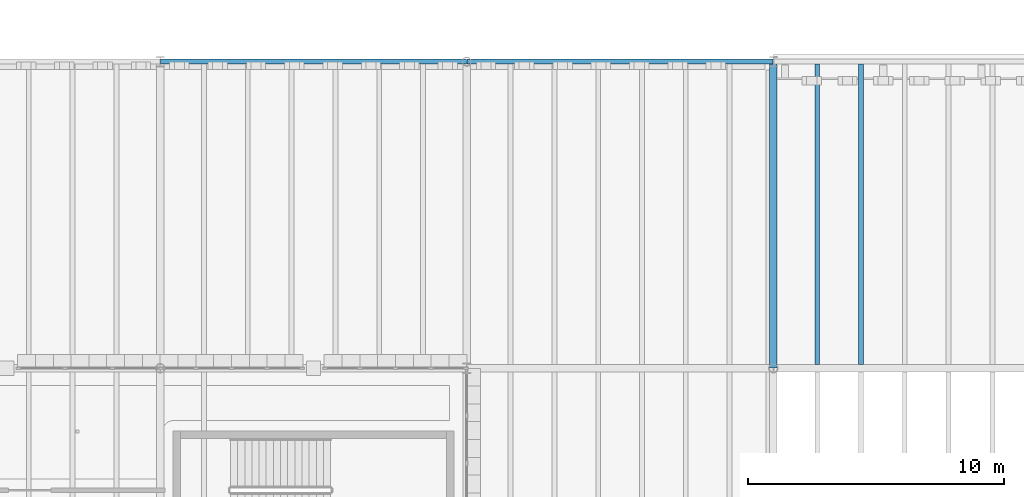
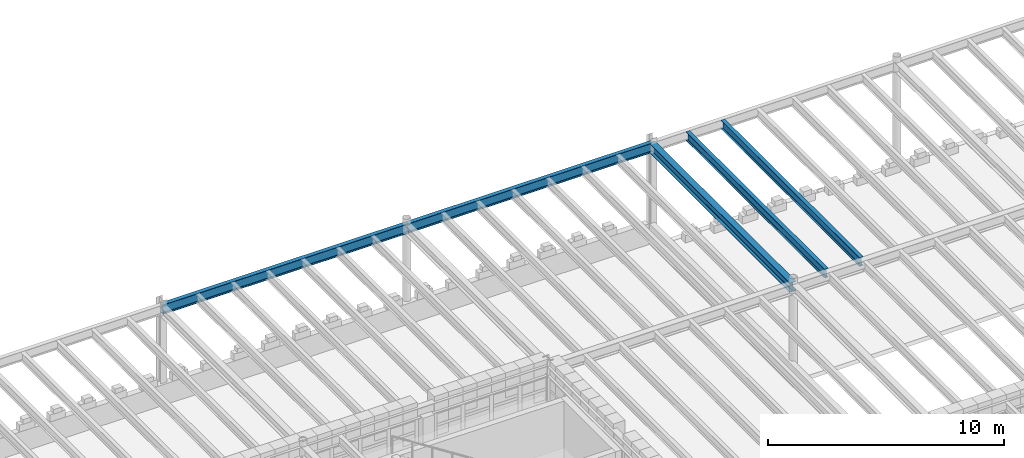
# One storey, part 28 of 100: 5 beams.
"""IFC4 building model written with IfcOpenShell, lengths in metres."""

from ifc_helpers import new_model, si_unit, direction, frame, origin, origin_2d, place, context, subcontext, project, spatial, i_section, extrude, material, material_profile, profile_set, type_object, element, save


model = new_model("IFC4")

# Units and contexts
model_context = context("Model", 3, precision=1e-05, world=origin(), true_north=direction((0.0, 1.0)))
body_context = subcontext(model_context, "Body", "Model", "MODEL_VIEW")
ifc_project = project(units=[si_unit("LENGTHUNIT", "METRE"), si_unit("AREAUNIT", "SQUARE_METRE"), si_unit("VOLUMEUNIT", "CUBIC_METRE"), si_unit("PLANEANGLEUNIT", "RADIAN"), si_unit("MASSUNIT", "GRAM", prefix="KILO")], contexts=[model_context])

# Site, building, storey
site_placement = place(None, origin())
site = spatial("IfcSite", under=ifc_project, at=site_placement, CompositionType="ELEMENT")
building_placement = place(site_placement, origin())
building = spatial("IfcBuilding", under=site, at=building_placement, Name="Zlatogorsky Bluff Art Gallery", CompositionType="ELEMENT")
storey_placement = place(building_placement, frame((0.0, 0.0, 5.39990234375)))
storey = spatial("IfcBuildingStorey", under=building, at=storey_placement, Name="L01", CompositionType="ELEMENT", Elevation=5.39990234375)

# Beams
ifc_material = material(Name="Steel S355", Category="steel")
ifc_material_profile_1 = material_profile(ifc_material, i_section(OverallWidth=0.300048828125, OverallDepth=0.489990234375, WebThickness=0.011962890625, FlangeThickness=0.02294921875, FilletRadius=0.027099609375, at=origin_2d()), Name="HEA 500")
ifc_profile_set_1 = profile_set([ifc_material_profile_1], Name="Steel S355")
beam_type_1 = type_object("IfcBeamType", Name="Beam BM-07 HEA 500", PredefinedType="BEAM", material=ifc_profile_set_1)
beam_placement = place(storey_placement, frame((60.0, 108.014892578125, 4.864990234375), z_axis=(0.0, 1.0, 0.0), x_axis=(-1.0, 0.0, 0.0)))
element("IfcBeam", 1, at=beam_placement, inside=storey, type_object=beam_type_1, Name="Primary girder BM-07 L01 F/11-12", PredefinedType="BEAM", context=body_context, shape_type="SweptSolid", body=[
    extrude(i_section(OverallWidth=0.300048828125, OverallDepth=0.489990234375, WebThickness=0.011962890625, FlangeThickness=0.02294921875, FilletRadius=0.027099609375, at=origin_2d()), origin(), (0.0, 0.0, 1.0), 11.97021484375),
])
ifc_material_profile_2 = material_profile(ifc_material, i_section(OverallWidth=0.18994140625, OverallDepth=0.449951171875, WebThickness=0.009521484375, FlangeThickness=0.0146484375, FilletRadius=0.02099609375, at=origin_2d()), Name="IPE 450")
ifc_profile_set_2 = profile_set([ifc_material_profile_2], Name="Steel S355")
beam_type_2 = type_object("IfcBeamType", Name="Beam JS-06 IPE 450", PredefinedType="JOIST", material=ifc_profile_set_2)
for number, where, z_axis, x_axis, name in (
    (2, (61.71435546875, 108.14990234375, 4.885009765625), (0.0, 1.0, 0.0), (-1.0, 0.0, 0.0), "Composite floor joist JS-06 L01 05.10.1"),
    (3, (63.428466796875, 108.14990234375, 4.885009765625), (0.0, 1.0, 0.0), (-1.0, 0.0, 0.0), "Composite floor joist JS-06 L01 05.10.2"),
):
    element("IfcBeam", number, at=place(storey_placement, frame(where, z_axis=z_axis, x_axis=x_axis)), inside=storey, type_object=beam_type_2, Name=name, PredefinedType="JOIST", context=body_context, shape_type="SweptSolid", body=[
        extrude(i_section(OverallWidth=0.18994140625, OverallDepth=0.449951171875, WebThickness=0.009521484375, FlangeThickness=0.0146484375, FilletRadius=0.02099609375, at=origin_2d()), origin(), (0.0, 0.0, 1.0), 11.75),
    ])
ifc_material_profile_3 = material_profile(ifc_material, i_section(OverallWidth=0.199951171875, OverallDepth=0.5, WebThickness=0.01025390625, FlangeThickness=0.01611328125, FilletRadius=0.02099609375, at=origin_2d()), Name="IPE 500")
ifc_profile_set_3 = profile_set([ifc_material_profile_3], Name="Steel S355")
beam_type_3 = type_object("IfcBeamType", Name="Beam SP-01 IPE 500", PredefinedType="SPANDREL", material=ifc_profile_set_3)
for number, where, z_axis, x_axis, name in (
    (4, (36.014892578125, 120.0, 4.860107421875), (1.0, 0.0, 0.0), (0.0, 1.0, 0.0), "Primary girder SP-01 L01 D-E/12"),
    (5, (48.014892578125, 120.0, 4.860107421875), (1.0, 0.0, 0.0), (0.0, 1.0, 0.0), "Primary girder SP-01 L01 E-F/12"),
):
    element("IfcBeam", number, at=place(storey_placement, frame(where, z_axis=z_axis, x_axis=x_axis)), inside=storey, type_object=beam_type_3, Name=name, PredefinedType="SPANDREL", context=body_context, shape_type="SweptSolid", body=[
        extrude(i_section(OverallWidth=0.199951171875, OverallDepth=0.5, WebThickness=0.01025390625, FlangeThickness=0.01611328125, FilletRadius=0.02099609375, at=origin_2d()), origin(), (0.0, 0.0, 1.0), 11.97021484375),
    ])

save(model, "model.ifc")
